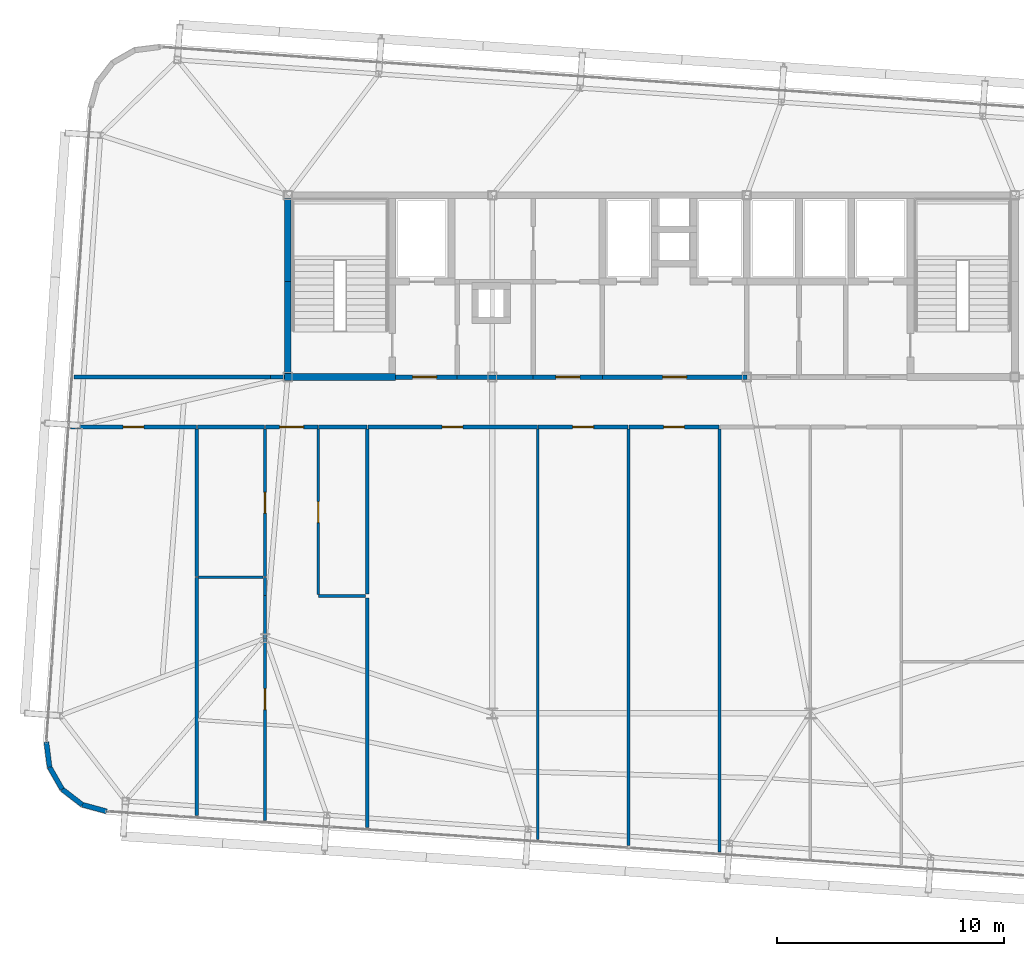
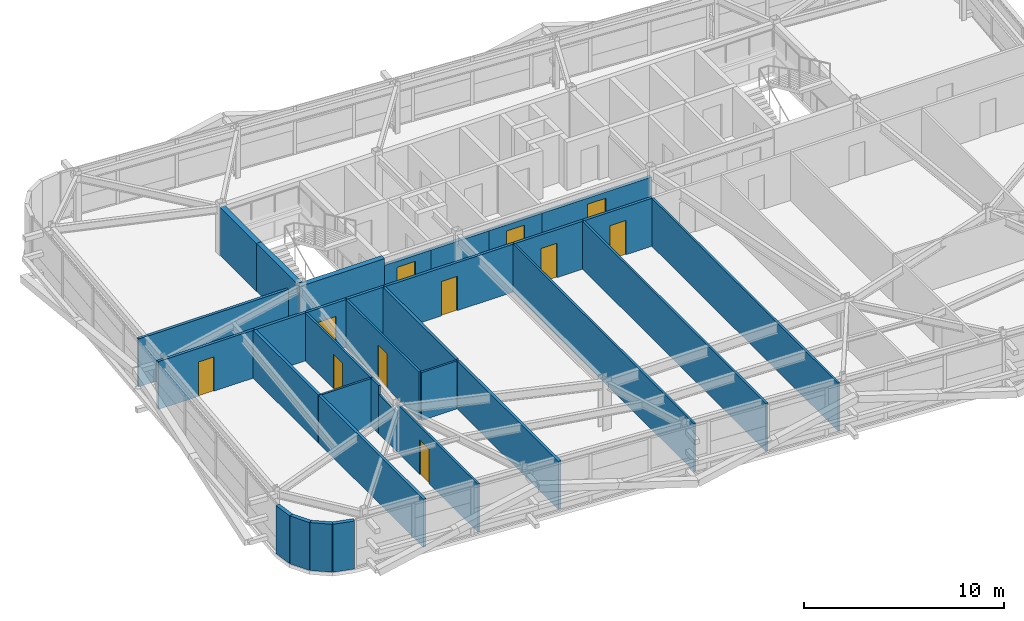
# One storey, part 41 of 47: 34 walls, 11 doors, 11 openings.
"""IFC4 building model written with IfcOpenShell, lengths in metres."""

from ifc_helpers import new_model, si_unit, direction, frame, frame_2d, origin, place, context, subcontext, project, spatial, rectangle, extrude, source, transform, mapped, material, layer, layer_set, type_object, element, fill, save


model = new_model("IFC4")

# Units and contexts
model_context = context("Model", 3, precision=1e-05, world=origin(), true_north=direction((0.0, 1.0)))
body_context = subcontext(model_context, "Body", "Model", "MODEL_VIEW")
ifc_project = project(units=[si_unit("LENGTHUNIT", "METRE"), si_unit("AREAUNIT", "SQUARE_METRE"), si_unit("VOLUMEUNIT", "CUBIC_METRE"), si_unit("PLANEANGLEUNIT", "RADIAN"), si_unit("MASSUNIT", "GRAM", prefix="KILO")], contexts=[model_context])

# Site, building, storey
site_placement = place(None, origin())
site = spatial("IfcSite", under=ifc_project, at=site_placement, CompositionType="ELEMENT")
building_placement = place(site_placement, origin())
building = spatial("IfcBuilding", under=site, at=building_placement, Name="Taldren Reach Tower", CompositionType="ELEMENT")
storey_placement = place(building_placement, frame((0.0, 0.0, 139.300048828125)))
storey = spatial("IfcBuildingStorey", under=building, at=storey_placement, Name="L42", CompositionType="ELEMENT", Elevation=139.300048828125)

# Walls
ifc_material_1 = material(Name="Pale Champagne Anodised Aluminium Cladding", Category="aluminium")
ifc_layer_1 = layer(ifc_material_1, 0.04, Name="Pale Champagne Anodised Aluminium Cladding", Category="aluminium")
ifc_material_2 = material(Name="Mineral Wool Acoustic Insulation", Category="insulation")
ifc_layer_2 = layer(ifc_material_2, 0.06, Name="Mineral Wool Acoustic Insulation", Category="insulation")
ifc_material_3 = material(Name="Steel Gr 350 (C350L0)", Category="steel")
ifc_layer_3 = layer(ifc_material_3, 0.12, Name="Steel Gr 350 (C350L0)", Category="steel")
ifc_layer_set_1 = layer_set([ifc_layer_1, ifc_layer_2, ifc_layer_3], Name="Pale Champagne Aluminium Cladding and Steel Gr 350 Stud Framing")
wall_type_1 = type_object("IfcWallType", Name="EW-CRN-220", PredefinedType="SOLIDWALL", material=ifc_layer_set_1)
shared_shape_1 = source(origin(), body_context, "Body", "SweptSolid", [
    extrude(rectangle(XDim=1.115966796875, YDim=0.219970703125, at=frame_2d((0.55810546875, 0.0))), origin(), (0.0, 0.0, 1.0), 2.929931640625),
])
for number, where, z_axis, x_axis, name in (
    (1, (8.37646484375, 7.93798828125, 0.0), (0.0, 0.0, 1.0), (0.126242535829, -0.991999406324, 0.0), "Rounded-corner pale-metal facade wall L42-SW1"),
    (2, (8.517333984375, 6.8310546875, 0.0), (0.0, 0.0, 1.0), (0.496138938357, -0.868243142124, 0.0), "Rounded-corner pale-metal facade wall L42-SW2"),
    (3, (9.071044921875, 5.862060546875, 0.0), (0.0, 0.0, 1.0), (0.790716874741, -0.612182018684, 0.0), "Rounded-corner pale-metal facade wall L42-SW3"),
    (4, (9.953369140625, 5.178955078125, 0.0), (0.0, 0.0, 1.0), (0.964804199372, -0.262969307856, 0.0), "Rounded-corner pale-metal facade wall L42-SW4"),
):
    element("IfcWall", number, at=place(storey_placement, frame(where, z_axis=z_axis, x_axis=x_axis)), inside=storey, type_object=wall_type_1, Name=name, PredefinedType="SOLIDWALL", context=body_context, shape_type="MappedRepresentation", body=[
        mapped(shared_shape_1, transform((0.0, 0.0, 0.0), scale=1.0)),
    ])

# Wall, opening, door
ifc_material_4 = material(Name="Fire-Rated Acoustic Plasterboard Stud Wall", Category="gypsum")
ifc_layer_4 = layer(ifc_material_4, 0.159912109375)
ifc_layer_set_2 = layer_set([ifc_layer_4], Name="Fire-Rated Acoustic Plasterboard Stud Wall")
wall_type_2 = type_object("IfcWallType", Name="IW-FIRE-160", PredefinedType="PARTITIONING", material=ifc_layer_set_2)
shared_shape_2 = source(origin(), body_context, "Body", "SweptSolid", [
    extrude(rectangle(XDim=3.95947265625, YDim=0.159912109375, at=frame_2d((1.979736328125, 0.0))), origin(), (0.0, 0.0, 1.0), 2.929931640625),
])
wall_1_placement = place(storey_placement, frame((33.979736328125, 21.800048828125, 0.0), z_axis=(0.0, 0.0, 1.0), x_axis=(-1.0, 0.0, 0.0)))
wall_1 = element("IfcWall", 5, at=wall_1_placement, inside=storey, type_object=wall_type_2, Name="Interior Partition Wall W-INT-L42-051", PredefinedType="PARTITIONING", context=body_context, shape_type="MappedRepresentation", body=[
    mapped(shared_shape_2, transform((0.0, 0.0, 0.0), scale=1.0)),
])
shared_shape_3 = source(origin(), body_context, "Body", "SweptSolid", [
    extrude(rectangle(XDim=0.919921875, YDim=2.10009765625, at=frame_2d((0.4599609375, 1.050048828125))), frame((0.0, 0.08984375, 0.0), z_axis=(0.0, -1.0, 0.0), x_axis=(1.0, 0.0, 0.0)), (0.0, 0.0, 1.0), 0.179931640625),
])
opening_1_placement = place(wall_1_placement, frame((1.519775390625, 0.0, 0.0)))
opening_1 = element("IfcOpeningElement", 6, at=opening_1_placement, cuts=wall_1, Name="Opening DI-092", PredefinedType="OPENING", context=body_context, shape_type="MappedRepresentation", body=[
    mapped(shared_shape_3, transform((0.0, 0.0, 0.0), scale=1.0)),
])
ifc_material_5 = material(Name="Solid-Core Timber Suite Door", Category="wood")
door_type_1 = type_object("IfcDoorType", Name="ID-INT-092", OperationType="NOTDEFINED", PredefinedType="DOOR", material=ifc_material_5)
shared_shape_4 = source(origin(), body_context, "Body", "SweptSolid", [
    extrude(rectangle(XDim=0.919921875, YDim=2.10009765625, at=frame_2d((0.4599609375, 1.050048828125))), frame((0.0, 0.02490234375, 0.0), z_axis=(0.0, -1.0, 0.0), x_axis=(1.0, 0.0, 0.0)), (0.0, 0.0, 1.0), 0.050048828125),
])
door_1_placement = place(opening_1_placement, origin())
door_1 = element("IfcDoor", 7, at=door_1_placement, inside=storey, type_object=door_type_1, Name="Interior Door DR-L42-014", OperationType="SINGLE_SWING_LEFT", OverallHeight=2.10009765625, OverallWidth=0.919921875, PredefinedType="DOOR", context=body_context, shape_type="MappedRepresentation", body=[
    mapped(shared_shape_4, transform((0.0, 0.0, 0.0), scale=1.0)),
])
fill(opening_1, door_1)

wall_2_placement = place(storey_placement, frame((37.979736328125, 21.800048828125, 0.0), z_axis=(0.0, 0.0, 1.0), x_axis=(-1.0, 0.0, 0.0)))
wall_2 = element("IfcWall", 8, at=wall_2_placement, inside=storey, type_object=wall_type_2, Name="Interior Partition Wall W-INT-L42-052", PredefinedType="PARTITIONING", context=body_context, shape_type="MappedRepresentation", body=[
    mapped(shared_shape_2, transform((0.0, 0.0, 0.0), scale=1.0)),
])
opening_2_placement = place(wall_2_placement, frame((1.519775390625, 0.0, 0.0)))
opening_2 = element("IfcOpeningElement", 9, at=opening_2_placement, cuts=wall_2, Name="Opening DI-092", PredefinedType="OPENING", context=body_context, shape_type="MappedRepresentation", body=[
    mapped(shared_shape_3, transform((0.0, 0.0, 0.0), scale=1.0)),
])
door_2_placement = place(opening_2_placement, origin())
door_2 = element("IfcDoor", 10, at=door_2_placement, inside=storey, type_object=door_type_1, Name="Interior Door DR-L42-015", OperationType="SINGLE_SWING_RIGHT", OverallHeight=2.10009765625, OverallWidth=0.919921875, PredefinedType="DOOR", context=body_context, shape_type="MappedRepresentation", body=[
    mapped(shared_shape_4, transform((0.0, 0.0, 0.0), scale=1.0)),
])
fill(opening_2, door_2)

# Walls
ifc_material_6 = material(Name="Concrete S65 (65 MPa)", Category="concrete")
ifc_layer_5 = layer(ifc_material_6, 0.300048828125)
ifc_layer_set_3 = layer_set([ifc_layer_5], Name="Concrete S65 (65 MPa)")
wall_type_3 = type_object("IfcWallType", Name="IW-CORE-300", PredefinedType="SHEAR", material=ifc_layer_set_3)
shared_shape_5 = source(origin(), body_context, "Body", "SweptSolid", [
    extrude(rectangle(XDim=4.050048828125, YDim=0.300048828125, at=frame_2d((2.02490234375, 0.0))), origin(), (0.0, 0.0, 1.0), 2.929931640625),
])
wall_3_placement = place(storey_placement, frame((19.0, 24.14990234375, 0.0), z_axis=(0.0, 0.0, 1.0), x_axis=(0.0, 1.0, 0.0)))
element("IfcWall", 11, at=wall_3_placement, inside=storey, type_object=wall_type_3, Name="Rear Core Shear Wall W-CORE-L42-WEST1", PredefinedType="SHEAR", context=body_context, shape_type="MappedRepresentation", body=[
    mapped(shared_shape_5, transform((0.0, 0.0, 0.0), scale=1.0)),
])
shared_shape_6 = source(origin(), body_context, "Body", "SweptSolid", [
    extrude(rectangle(XDim=3.650146484375, YDim=0.300048828125, at=frame_2d((1.8251953125, 0.0))), origin(), (0.0, 0.0, 1.0), 2.929931640625),
])
wall_4_placement = place(storey_placement, frame((19.0, 28.199951171875, 0.0), z_axis=(0.0, 0.0, 1.0), x_axis=(0.0, 1.0, 0.0)))
element("IfcWall", 12, at=wall_4_placement, inside=storey, type_object=wall_type_3, Name="Rear Core Shear Wall W-CORE-L42-WEST2", PredefinedType="SHEAR", context=body_context, shape_type="MappedRepresentation", body=[
    mapped(shared_shape_6, transform((0.0, 0.0, 0.0), scale=1.0)),
])
shared_shape_7 = source(origin(), body_context, "Body", "SweptSolid", [
    extrude(rectangle(XDim=4.89990234375, YDim=0.300048828125, at=frame_2d((2.449951171875, 0.0))), origin(), (0.0, 0.0, 1.0), 2.929931640625),
])
wall_5_placement = place(storey_placement, frame((18.85009765625, 24.0, 0.0), z_axis=(0.0, 0.0, 1.0), x_axis=(1.0, 0.0, 0.0)))
element("IfcWall", 13, at=wall_5_placement, inside=storey, type_object=wall_type_3, Name="Rear Core Shear Wall W-INT-L42-003", PredefinedType="SHEAR", context=body_context, shape_type="MappedRepresentation", body=[
    mapped(shared_shape_7, transform((0.0, 0.0, 0.0), scale=1.0)),
])

# Wall, opening, door
ifc_material_7 = material(Name="Concrete S50 (50 MPa)", Category="concrete")
ifc_layer_6 = layer(ifc_material_7, 0.199951171875)
ifc_layer_set_4 = layer_set([ifc_layer_6], Name="Concrete S50 (50 MPa)")
wall_type_4 = type_object("IfcWallType", Name="IW-CORE-200", PredefinedType="SOLIDWALL", material=ifc_layer_set_4)
shared_shape_8 = source(origin(), body_context, "Body", "SweptSolid", [
    extrude(rectangle(XDim=2.699951171875, YDim=0.199951171875, at=frame_2d((1.35009765625, 0.0))), origin(), (0.0, 0.0, 1.0), 2.469970703125),
])
wall_6_placement = place(storey_placement, frame((23.75, 24.0, 0.0), z_axis=(0.0, 0.0, 1.0), x_axis=(1.0, 0.0, 0.0)))
wall_6 = element("IfcWall", 14, at=wall_6_placement, inside=storey, type_object=wall_type_4, Name="Rear Core Shear Wall W-INT-L42-007", PredefinedType="SOLIDWALL", context=body_context, shape_type="MappedRepresentation", body=[
    mapped(shared_shape_8, transform((0.0, 0.0, 0.0), scale=1.0)),
])
shared_shape_9 = source(origin(), body_context, "Body", "SweptSolid", [
    extrude(rectangle(XDim=1.050048828125, YDim=2.10009765625, at=frame_2d((0.52490234375, 1.050048828125))), frame((0.0, 0.10986328125, 0.0), z_axis=(0.0, -1.0, 0.0), x_axis=(1.0, 0.0, 0.0)), (0.0, 0.0, 1.0), 0.219970703125),
])
opening_3_placement = place(wall_6_placement, frame((0.75, 0.0, 0.0)))
opening_3 = element("IfcOpeningElement", 15, at=opening_3_placement, cuts=wall_6, Name="Opening DF-105", PredefinedType="OPENING", context=body_context, shape_type="MappedRepresentation", body=[
    mapped(shared_shape_9, transform((0.0, 0.0, 0.0), scale=1.0)),
])
ifc_material_8 = material(Name="Fire-Rated Care and Stair Exit Door")
door_type_2 = type_object("IfcDoorType", Name="ID-FIRE-105", OperationType="NOTDEFINED", PredefinedType="DOOR", material=ifc_material_8)
shared_shape_10 = source(origin(), body_context, "Body", "SweptSolid", [
    extrude(rectangle(XDim=1.050048828125, YDim=2.10009765625, at=frame_2d((0.52490234375, 1.050048828125))), frame((0.0, 0.02490234375, 0.0), z_axis=(0.0, -1.0, 0.0), x_axis=(1.0, 0.0, 0.0)), (0.0, 0.0, 1.0), 0.050048828125),
])
door_3_placement = place(opening_3_placement, origin())
door_3 = element("IfcDoor", 16, at=door_3_placement, inside=storey, type_object=door_type_2, Name="Interior Door DR-L42-002", OperationType="SINGLE_SWING_LEFT", OverallHeight=2.10009765625, OverallWidth=1.050048828125, PredefinedType="DOOR", context=body_context, shape_type="MappedRepresentation", body=[
    mapped(shared_shape_10, transform((0.0, 0.0, 0.0), scale=1.0)),
])
fill(opening_3, door_3)

shared_shape_11 = source(origin(), body_context, "Body", "SweptSolid", [
    extrude(rectangle(XDim=6.349853515625, YDim=0.199951171875, at=frame_2d((3.1748046875, 0.0))), origin(), (0.0, 0.0, 1.0), 2.469970703125),
])
wall_7_placement = place(storey_placement, frame((39.199951171875, 24.0, 0.0), z_axis=(0.0, 0.0, 1.0), x_axis=(-1.0, 0.0, 0.0)))
wall_7 = element("IfcWall", 17, at=wall_7_placement, inside=storey, type_object=wall_type_4, Name="Rear Core Shear Wall W-INT-L42-033", PredefinedType="SOLIDWALL", context=body_context, shape_type="MappedRepresentation", body=[
    mapped(shared_shape_11, transform((0.0, 0.0, 0.0), scale=1.0)),
])
opening_4_placement = place(wall_7_placement, frame((2.64990234375, 0.0, 0.0)))
opening_4 = element("IfcOpeningElement", 18, at=opening_4_placement, cuts=wall_7, Name="Opening DF-105", PredefinedType="OPENING", context=body_context, shape_type="MappedRepresentation", body=[
    mapped(shared_shape_9, transform((0.0, 0.0, 0.0), scale=1.0)),
])
door_4_placement = place(opening_4_placement, frame((1.050048828125, 0.0, 0.0), z_axis=(0.0, 0.0, 1.0), x_axis=(-1.0, 0.0, 0.0)))
door_4 = element("IfcDoor", 19, at=door_4_placement, inside=storey, type_object=door_type_2, Name="Interior Door DR-L42-005", OperationType="SINGLE_SWING_LEFT", OverallHeight=2.10009765625, OverallWidth=1.050048828125, PredefinedType="DOOR", context=body_context, shape_type="MappedRepresentation", body=[
    mapped(shared_shape_10, transform((0.0, 0.0, 0.0), scale=1.0)),
])
fill(opening_4, door_4)

# Wall
shared_shape_12 = source(origin(), body_context, "Body", "SweptSolid", [
    extrude(rectangle(XDim=3.35009765625, YDim=0.199951171875, at=frame_2d((1.675048828125, 0.0))), origin(), (0.0, 0.0, 1.0), 2.469970703125),
])
wall_8_placement = place(storey_placement, frame((29.800048828125, 24.0, 0.0), z_axis=(0.0, 0.0, 1.0), x_axis=(-1.0, 0.0, 0.0)))
element("IfcWall", 20, at=wall_8_placement, inside=storey, type_object=wall_type_4, Name="Rear Core Shear Wall W-INT-L42-039", PredefinedType="SOLIDWALL", context=body_context, shape_type="MappedRepresentation", body=[
    mapped(shared_shape_12, transform((0.0, 0.0, 0.0), scale=1.0)),
])

# Wall, opening, door
shared_shape_13 = source(origin(), body_context, "Body", "SweptSolid", [
    extrude(rectangle(XDim=3.050048828125, YDim=0.199951171875, at=frame_2d((1.52490234375, 0.0))), origin(), (0.0, 0.0, 1.0), 2.469970703125),
])
wall_9_placement = place(storey_placement, frame((32.85009765625, 24.0, 0.0), z_axis=(0.0, 0.0, 1.0), x_axis=(-1.0, 0.0, 0.0)))
wall_9 = element("IfcWall", 21, at=wall_9_placement, inside=storey, type_object=wall_type_4, Name="Rear Core Shear Wall W-INT-L42-041", PredefinedType="SOLIDWALL", context=body_context, shape_type="MappedRepresentation", body=[
    mapped(shared_shape_13, transform((0.0, 0.0, 0.0), scale=1.0)),
])
opening_5_placement = place(wall_9_placement, frame((1.0, 0.0, 0.0)))
opening_5 = element("IfcOpeningElement", 22, at=opening_5_placement, cuts=wall_9, Name="Opening DF-105", PredefinedType="OPENING", context=body_context, shape_type="MappedRepresentation", body=[
    mapped(shared_shape_9, transform((0.0, 0.0, 0.0), scale=1.0)),
])
door_5_placement = place(opening_5_placement, frame((1.050048828125, 0.0, 0.0), z_axis=(0.0, 0.0, 1.0), x_axis=(-1.0, 0.0, 0.0)))
door_5 = element("IfcDoor", 23, at=door_5_placement, inside=storey, type_object=door_type_2, Name="Interior Door DR-L42-007", OperationType="SINGLE_SWING_LEFT", OverallHeight=2.10009765625, OverallWidth=1.050048828125, PredefinedType="DOOR", context=body_context, shape_type="MappedRepresentation", body=[
    mapped(shared_shape_10, transform((0.0, 0.0, 0.0), scale=1.0)),
])
fill(opening_5, door_5)

# Walls
shared_shape_14 = source(origin(), body_context, "Body", "SweptSolid", [
    extrude(rectangle(XDim=8.65234375, YDim=0.159912109375, at=frame_2d((4.326171875, 0.0))), origin(), (0.0, 0.0, 1.0), 2.929931640625),
])
wall_10_placement = place(storey_placement, frame((9.584228515625, 24.0, 0.0), z_axis=(0.0, 0.0, 1.0), x_axis=(1.0, 0.0, 0.0)))
element("IfcWall", 24, at=wall_10_placement, inside=storey, type_object=wall_type_2, Name="Interior Partition Wall W-INT-L42-058", PredefinedType="PARTITIONING", context=body_context, shape_type="MappedRepresentation", body=[
    mapped(shared_shape_14, transform((0.0, 0.0, 0.0), scale=1.0)),
])
shared_shape_15 = source(origin(), body_context, "Body", "SweptSolid", [
    extrude(rectangle(XDim=0.613525390625, YDim=0.159912109375, at=frame_2d((0.306640625, 0.0))), origin(), (0.0, 0.0, 1.0), 2.469970703125),
])
wall_11_placement = place(storey_placement, frame((18.236572265625, 24.0, 0.0), z_axis=(0.0, 0.0, 1.0), x_axis=(1.0, 0.0, 0.0)))
element("IfcWall", 25, at=wall_11_placement, inside=storey, type_object=wall_type_2, Name="Interior Partition Wall W-INT-L42-058 part 2", PredefinedType="PARTITIONING", context=body_context, shape_type="MappedRepresentation", body=[
    mapped(shared_shape_15, transform((0.0, 0.0, 0.0), scale=1.0)),
])
ifc_material_9 = material(Name="Insulated Residential Stud Partition", Category="gypsum")
ifc_layer_7 = layer(ifc_material_9, 0.1201171875)
ifc_layer_set_5 = layer_set([ifc_layer_7], Name="Insulated Residential Stud Partition")
wall_type_5 = type_object("IfcWallType", Name="IW-PART-120", PredefinedType="PARTITIONING", material=ifc_layer_set_5)
shared_shape_16 = source(origin(), body_context, "Body", "SweptSolid", [
    extrude(rectangle(XDim=1.9013671875, YDim=0.1201171875, at=frame_2d((0.95068359375, 0.0))), origin(), (0.0, 0.0, 1.0), 2.39697265625),
])
wall_12_placement = place(storey_placement, frame((18.0, 12.494873046875, 0.0), z_axis=(0.0, 0.0, 1.0), x_axis=(0.0, 1.0, 0.0)))
element("IfcWall", 26, at=wall_12_placement, inside=storey, type_object=wall_type_5, Name="Interior Partition Wall W-INT-L42-063 part 2", PredefinedType="PARTITIONING", context=body_context, shape_type="MappedRepresentation", body=[
    mapped(shared_shape_16, transform((0.0, 0.0, 0.0), scale=1.0)),
])

# Wall, opening, door
shared_shape_17 = source(origin(), body_context, "Body", "SweptSolid", [
    extrude(rectangle(XDim=7.45947265625, YDim=0.159912109375, at=frame_2d((3.729736328125, 0.0))), origin(), (0.0, 0.0, 1.0), 2.929931640625),
])
wall_13_placement = place(storey_placement, frame((29.979736328125, 21.800048828125, 0.0), z_axis=(0.0, 0.0, 1.0), x_axis=(-1.0, 0.0, 0.0)))
wall_13 = element("IfcWall", 27, at=wall_13_placement, inside=storey, type_object=wall_type_2, Name="Interior Partition Wall W-INT-L42-050", PredefinedType="PARTITIONING", context=body_context, shape_type="MappedRepresentation", body=[
    mapped(shared_shape_17, transform((0.0, 0.0, 0.0), scale=1.0)),
])
opening_6_placement = place(wall_13_placement, frame((3.269775390625, 0.0, 0.0)))
opening_6 = element("IfcOpeningElement", 28, at=opening_6_placement, cuts=wall_13, Name="Opening DI-092", PredefinedType="OPENING", context=body_context, shape_type="MappedRepresentation", body=[
    mapped(shared_shape_3, transform((0.0, 0.0, 0.0), scale=1.0)),
])
door_6_placement = place(opening_6_placement, origin())
door_6 = element("IfcDoor", 29, at=door_6_placement, inside=storey, type_object=door_type_1, Name="Interior Door DR-L42-013", OperationType="SINGLE_SWING_RIGHT", OverallHeight=2.10009765625, OverallWidth=0.919921875, PredefinedType="DOOR", context=body_context, shape_type="MappedRepresentation", body=[
    mapped(shared_shape_4, transform((0.0, 0.0, 0.0), scale=1.0)),
])
fill(opening_6, door_6)

shared_shape_18 = source(origin(), body_context, "Body", "SweptSolid", [
    extrude(rectangle(XDim=5.538330078125, YDim=0.159912109375, at=frame_2d((2.76904296875, 0.0))), origin(), (0.0, 0.0, 1.0), 2.929931640625),
])
wall_14_placement = place(storey_placement, frame((14.979736328125, 21.800048828125, 0.0), z_axis=(0.0, 0.0, 1.0), x_axis=(-1.0, 0.0, 0.0)))
wall_14 = element("IfcWall", 30, at=wall_14_placement, inside=storey, type_object=wall_type_2, Name="Interior Partition Wall W-INT-L42-046", PredefinedType="PARTITIONING", context=body_context, shape_type="MappedRepresentation", body=[
    mapped(shared_shape_18, transform((0.0, 0.0, 0.0), scale=1.0)),
])
opening_7_placement = place(wall_14_placement, frame((2.30908203125, 0.0, 0.0)))
opening_7 = element("IfcOpeningElement", 31, at=opening_7_placement, cuts=wall_14, Name="Opening DI-092", PredefinedType="OPENING", context=body_context, shape_type="MappedRepresentation", body=[
    mapped(shared_shape_3, transform((0.0, 0.0, 0.0), scale=1.0)),
])
door_7_placement = place(opening_7_placement, origin())
door_7 = element("IfcDoor", 32, at=door_7_placement, inside=storey, type_object=door_type_1, Name="Interior Door DR-L42-011", OperationType="SINGLE_SWING_RIGHT", OverallHeight=2.10009765625, OverallWidth=0.919921875, PredefinedType="DOOR", context=body_context, shape_type="MappedRepresentation", body=[
    mapped(shared_shape_4, transform((0.0, 0.0, 0.0), scale=1.0)),
])
fill(opening_7, door_7)

shared_shape_19 = source(origin(), body_context, "Body", "SweptSolid", [
    extrude(rectangle(XDim=2.299560546875, YDim=0.159912109375, at=frame_2d((1.14990234375, 0.0))), origin(), (0.0, 0.0, 1.0), 2.929931640625),
])
wall_15_placement = place(storey_placement, frame((20.31982421875, 21.800048828125, 0.0), z_axis=(0.0, 0.0, 1.0), x_axis=(-1.0, 0.0, 0.0)))
wall_15 = element("IfcWall", 33, at=wall_15_placement, inside=storey, type_object=wall_type_2, Name="Interior Partition Wall W-INT-L42-047", PredefinedType="PARTITIONING", context=body_context, shape_type="MappedRepresentation", body=[
    mapped(shared_shape_19, transform((0.0, 0.0, 0.0), scale=1.0)),
])
shared_shape_20 = source(origin(), body_context, "Body", "SweptSolid", [
    extrude(rectangle(XDim=1.050048828125, YDim=2.10009765625, at=frame_2d((0.52490234375, 1.050048828125))), frame((0.0, 0.08984375, 0.0), z_axis=(0.0, -1.0, 0.0), x_axis=(1.0, 0.0, 0.0)), (0.0, 0.0, 1.0), 0.179931640625),
])
opening_8_placement = place(wall_15_placement, frame((0.624755859375, 0.0, 0.0)))
opening_8 = element("IfcOpeningElement", 34, at=opening_8_placement, cuts=wall_15, Name="Opening DF-105", PredefinedType="OPENING", context=body_context, shape_type="MappedRepresentation", body=[
    mapped(shared_shape_20, transform((0.0, 0.0, 0.0), scale=1.0)),
])
door_8_placement = place(opening_8_placement, origin())
door_8 = element("IfcDoor", 35, at=door_8_placement, inside=storey, type_object=door_type_2, Name="Interior Door DR-L42-012", OperationType="SINGLE_SWING_LEFT", OverallHeight=2.10009765625, OverallWidth=1.050048828125, PredefinedType="DOOR", context=body_context, shape_type="MappedRepresentation", body=[
    mapped(shared_shape_10, transform((0.0, 0.0, 0.0), scale=1.0)),
])
fill(opening_8, door_8)

# Walls
shared_shape_21 = source(origin(), body_context, "Body", "SweptSolid", [
    extrude(rectangle(XDim=2.11962890625, YDim=0.159912109375, at=frame_2d((1.059814453125, 0.0))), origin(), (0.0, 0.0, 1.0), 2.929931640625),
])
wall_16_placement = place(storey_placement, frame((22.479736328125, 21.800048828125, 0.0), z_axis=(0.0, 0.0, 1.0), x_axis=(-1.0, 0.0, 0.0)))
element("IfcWall", 36, at=wall_16_placement, inside=storey, type_object=wall_type_2, Name="Interior Partition Wall W-INT-L42-048", PredefinedType="PARTITIONING", context=body_context, shape_type="MappedRepresentation", body=[
    mapped(shared_shape_21, transform((0.0, 0.0, 0.0), scale=1.0)),
])
shared_shape_22 = source(origin(), body_context, "Body", "SweptSolid", [
    extrude(rectangle(XDim=2.95947265625, YDim=0.159912109375, at=frame_2d((1.479736328125, 0.0))), origin(), (0.0, 0.0, 1.0), 2.929931640625),
])
wall_17_placement = place(storey_placement, frame((17.979736328125, 21.800048828125, 0.0), z_axis=(0.0, 0.0, 1.0), x_axis=(-1.0, 0.0, 0.0)))
element("IfcWall", 37, at=wall_17_placement, inside=storey, type_object=wall_type_2, Name="Interior Partition Wall W-INT-L42-049", PredefinedType="PARTITIONING", context=body_context, shape_type="MappedRepresentation", body=[
    mapped(shared_shape_22, transform((0.0, 0.0, 0.0), scale=1.0)),
])
shared_shape_23 = source(origin(), body_context, "Body", "SweptSolid", [
    extrude(rectangle(XDim=10.46728515625, YDim=0.159912109375, at=frame_2d((5.233642578125, 0.0))), origin(), (0.0, 0.0, 1.0), 2.929931640625),
])
wall_18_placement = place(storey_placement, frame((15.0, 15.1708984375, 0.0), z_axis=(0.0, 0.0, 1.0), x_axis=(0.0, -1.0, 0.0)))
element("IfcWall", 38, at=wall_18_placement, inside=storey, type_object=wall_type_2, Name="Interior Partition Wall W-INT-L42-059", PredefinedType="PARTITIONING", context=body_context, shape_type="MappedRepresentation", body=[
    mapped(shared_shape_23, transform((0.0, 0.0, 0.0), scale=1.0)),
])
shared_shape_24 = source(origin(), body_context, "Body", "SweptSolid", [
    extrude(rectangle(XDim=6.5087890625, YDim=0.159912109375, at=frame_2d((3.25439453125, 0.0))), origin(), (0.0, 0.0, 1.0), 2.929931640625),
])
wall_19_placement = place(storey_placement, frame((15.0, 21.719970703125, 0.0), z_axis=(0.0, 0.0, 1.0), x_axis=(0.0, -1.0, 0.0)))
element("IfcWall", 39, at=wall_19_placement, inside=storey, type_object=wall_type_2, Name="Interior Partition Wall W-INT-L42-060", PredefinedType="PARTITIONING", context=body_context, shape_type="MappedRepresentation", body=[
    mapped(shared_shape_24, transform((0.0, 0.0, 0.0), scale=1.0)),
])

# Wall, opening, door
shared_shape_25 = source(origin(), body_context, "Body", "SweptSolid", [
    extrude(rectangle(XDim=7.294189453125, YDim=0.1201171875, at=frame_2d((3.64697265625, 0.0))), origin(), (0.0, 0.0, 1.0), 2.929931640625),
])
wall_20_placement = place(storey_placement, frame((20.340087890625, 21.719970703125, 0.0), z_axis=(0.0, 0.0, 1.0), x_axis=(0.0, -1.0, 0.0)))
wall_20 = element("IfcWall", 40, at=wall_20_placement, inside=storey, type_object=wall_type_5, Name="Interior Partition Wall W-INT-L42-061", PredefinedType="PARTITIONING", context=body_context, shape_type="MappedRepresentation", body=[
    mapped(shared_shape_25, transform((0.0, 0.0, 0.0), scale=1.0)),
])
shared_shape_26 = source(origin(), body_context, "Body", "SweptSolid", [
    extrude(rectangle(XDim=0.919921875, YDim=2.10009765625, at=frame_2d((0.4599609375, 1.050048828125))), frame((0.0, 0.070068359375, 0.0), z_axis=(0.0, -1.0, 0.0), x_axis=(1.0, 0.0, 0.0)), (0.0, 0.0, 1.0), 0.14013671875),
])
opening_9_placement = place(wall_20_placement, frame((3.20703125, 0.0, 0.0)))
opening_9 = element("IfcOpeningElement", 41, at=opening_9_placement, cuts=wall_20, Name="Opening DI-092", PredefinedType="OPENING", context=body_context, shape_type="MappedRepresentation", body=[
    mapped(shared_shape_26, transform((0.0, 0.0, 0.0), scale=1.0)),
])
door_9_placement = place(opening_9_placement, origin())
door_9 = element("IfcDoor", 42, at=door_9_placement, inside=storey, type_object=door_type_1, Name="Interior Door DR-L42-021", OperationType="SINGLE_SWING_RIGHT", OverallHeight=2.10009765625, OverallWidth=0.919921875, PredefinedType="DOOR", context=body_context, shape_type="MappedRepresentation", body=[
    mapped(shared_shape_4, transform((0.0, 0.0, 0.0), scale=1.0)),
])
fill(opening_9, door_9)

# Wall
shared_shape_27 = source(origin(), body_context, "Body", "SweptSolid", [
    extrude(rectangle(XDim=2.059814453125, YDim=0.1201171875, at=frame_2d((1.02978515625, 0.0))), origin(), (0.0, 0.0, 1.0), 2.929931640625),
])
wall_21_placement = place(storey_placement, frame((20.360107421875, 14.36572265625, 0.0), z_axis=(0.0, 0.0, 1.0), x_axis=(1.0, 0.0, 0.0)))
element("IfcWall", 43, at=wall_21_placement, inside=storey, type_object=wall_type_5, Name="Interior Partition Wall W-INT-L42-062", PredefinedType="PARTITIONING", context=body_context, shape_type="MappedRepresentation", body=[
    mapped(shared_shape_27, transform((0.0, 0.0, 0.0), scale=1.0)),
])

# Wall, opening, door
shared_shape_28 = source(origin(), body_context, "Body", "SweptSolid", [
    extrude(rectangle(XDim=8.01220703125, YDim=0.1201171875, at=frame_2d((4.006103515625, 0.0))), origin(), (0.0, 0.0, 1.0), 2.929931640625),
])
wall_22_placement = place(storey_placement, frame((18.0, 4.482666015625, 0.0), z_axis=(0.0, 0.0, 1.0), x_axis=(0.0, 1.0, 0.0)))
wall_22 = element("IfcWall", 44, at=wall_22_placement, inside=storey, type_object=wall_type_5, Name="Interior Partition Wall W-INT-L42-063", PredefinedType="PARTITIONING", context=body_context, shape_type="MappedRepresentation", body=[
    mapped(shared_shape_28, transform((0.0, 0.0, 0.0), scale=1.0)),
])
opening_10_placement = place(wall_22_placement, frame((4.884033203125, 0.0, 0.0)))
opening_10 = element("IfcOpeningElement", 45, at=opening_10_placement, cuts=wall_22, Name="Opening DI-092", PredefinedType="OPENING", context=body_context, shape_type="MappedRepresentation", body=[
    mapped(shared_shape_26, transform((0.0, 0.0, 0.0), scale=1.0)),
])
door_10_placement = place(opening_10_placement, origin())
door_10 = element("IfcDoor", 46, at=door_10_placement, inside=storey, type_object=door_type_1, Name="Interior Door DR-L42-022", OperationType="SINGLE_SWING_LEFT", OverallHeight=2.10009765625, OverallWidth=0.919921875, PredefinedType="DOOR", context=body_context, shape_type="MappedRepresentation", body=[
    mapped(shared_shape_4, transform((0.0, 0.0, 0.0), scale=1.0)),
])
fill(opening_10, door_10)

# Wall
shared_shape_29 = source(origin(), body_context, "Body", "SweptSolid", [
    extrude(rectangle(XDim=0.774658203125, YDim=0.1201171875, at=frame_2d((0.38720703125, 0.0))), origin(), (0.0, 0.0, 1.0), 2.929931640625),
])
wall_23_placement = place(storey_placement, frame((18.0, 14.396240234375, 0.0), z_axis=(0.0, 0.0, 1.0), x_axis=(0.0, 1.0, 0.0)))
element("IfcWall", 47, at=wall_23_placement, inside=storey, type_object=wall_type_5, Name="Interior Partition Wall W-INT-L42-063 part 3", PredefinedType="PARTITIONING", context=body_context, shape_type="MappedRepresentation", body=[
    mapped(shared_shape_29, transform((0.0, 0.0, 0.0), scale=1.0)),
])

# Wall, opening, door
shared_shape_30 = source(origin(), body_context, "Body", "SweptSolid", [
    extrude(rectangle(XDim=6.5087890625, YDim=0.1201171875, at=frame_2d((3.25439453125, 0.0))), origin(), (0.0, 0.0, 1.0), 2.929931640625),
])
wall_24_placement = place(storey_placement, frame((18.0, 15.211181640625, 0.0), z_axis=(0.0, 0.0, 1.0), x_axis=(0.0, 1.0, 0.0)))
wall_24 = element("IfcWall", 48, at=wall_24_placement, inside=storey, type_object=wall_type_5, Name="Interior Partition Wall W-INT-L42-064", PredefinedType="PARTITIONING", context=body_context, shape_type="MappedRepresentation", body=[
    mapped(shared_shape_30, transform((0.0, 0.0, 0.0), scale=1.0)),
])
opening_11_placement = place(wall_24_placement, frame((2.79443359375, 0.0, 0.0)))
opening_11 = element("IfcOpeningElement", 49, at=opening_11_placement, cuts=wall_24, Name="Opening DI-092", PredefinedType="OPENING", context=body_context, shape_type="MappedRepresentation", body=[
    mapped(shared_shape_26, transform((0.0, 0.0, 0.0), scale=1.0)),
])
door_11_placement = place(opening_11_placement, origin())
door_11 = element("IfcDoor", 50, at=door_11_placement, inside=storey, type_object=door_type_1, Name="Interior Door DR-L42-023", OperationType="SINGLE_SWING_RIGHT", OverallHeight=2.10009765625, OverallWidth=0.919921875, PredefinedType="DOOR", context=body_context, shape_type="MappedRepresentation", body=[
    mapped(shared_shape_4, transform((0.0, 0.0, 0.0), scale=1.0)),
])
fill(opening_11, door_11)

# Walls
shared_shape_31 = source(origin(), body_context, "Body", "SweptSolid", [
    extrude(rectangle(XDim=10.1044921875, YDim=0.159912109375, at=frame_2d((5.05224609375, 0.0))), origin(), (0.0, 0.0, 1.0), 2.929931640625),
])
wall_25_placement = place(storey_placement, frame((22.5, 14.28564453125, 0.0), z_axis=(0.0, 0.0, 1.0), x_axis=(0.0, -1.0, 0.0)))
element("IfcWall", 51, at=wall_25_placement, inside=storey, type_object=wall_type_2, Name="Interior Partition Wall W-INT-L42-065", PredefinedType="PARTITIONING", context=body_context, shape_type="MappedRepresentation", body=[
    mapped(shared_shape_31, transform((0.0, 0.0, 0.0), scale=1.0)),
])
shared_shape_32 = source(origin(), body_context, "Body", "SweptSolid", [
    extrude(rectangle(XDim=7.272216796875, YDim=0.159912109375, at=frame_2d((3.63623046875, 0.0))), origin(), (0.0, 0.0, 1.0), 2.929931640625),
])
wall_26_placement = place(storey_placement, frame((22.5, 21.718017578125, 0.0), z_axis=(0.0, 0.0, 1.0), x_axis=(0.0, -1.0, 0.0)))
element("IfcWall", 52, at=wall_26_placement, inside=storey, type_object=wall_type_2, Name="Interior Partition Wall W-INT-L42-066", PredefinedType="PARTITIONING", context=body_context, shape_type="MappedRepresentation", body=[
    mapped(shared_shape_32, transform((0.0, 0.0, 0.0), scale=1.0)),
])
shared_shape_33 = source(origin(), body_context, "Body", "SweptSolid", [
    extrude(rectangle(XDim=2.83984375, YDim=0.1201171875, at=frame_2d((1.419921875, 0.0))), origin(), (0.0, 0.0, 1.0), 2.929931640625),
])
wall_27_placement = place(storey_placement, frame((15.080078125, 15.191162109375, 0.0), z_axis=(0.0, 0.0, 1.0), x_axis=(1.0, 0.0, 0.0)))
element("IfcWall", 53, at=wall_27_placement, inside=storey, type_object=wall_type_5, Name="Interior Partition Wall W-INT-L42-067", PredefinedType="PARTITIONING", context=body_context, shape_type="MappedRepresentation", body=[
    mapped(shared_shape_33, transform((0.0, 0.0, 0.0), scale=1.0)),
])
shared_shape_34 = source(origin(), body_context, "Body", "SweptSolid", [
    extrude(rectangle(XDim=18.065185546875, YDim=0.1201171875, at=frame_2d((9.03271484375, 0.0))), origin(), (0.0, 0.0, 1.0), 2.929931640625),
])
wall_28_placement = place(storey_placement, frame((30.0, 21.719970703125, 0.0), z_axis=(0.0, 0.0, 1.0), x_axis=(0.0, -1.0, 0.0)))
element("IfcWall", 54, at=wall_28_placement, inside=storey, type_object=wall_type_5, Name="Interior Partition Wall W-INT-L42-068", PredefinedType="PARTITIONING", context=body_context, shape_type="MappedRepresentation", body=[
    mapped(shared_shape_34, transform((0.0, 0.0, 0.0), scale=1.0)),
])
shared_shape_35 = source(origin(), body_context, "Body", "SweptSolid", [
    extrude(rectangle(XDim=18.344970703125, YDim=0.1201171875, at=frame_2d((9.17236328125, 0.0))), origin(), (0.0, 0.0, 1.0), 2.929931640625),
])
wall_29_placement = place(storey_placement, frame((34.0, 21.719970703125, 0.0), z_axis=(0.0, 0.0, 1.0), x_axis=(0.0, -1.0, 0.0)))
element("IfcWall", 55, at=wall_29_placement, inside=storey, type_object=wall_type_5, Name="Interior Partition Wall W-INT-L42-069", PredefinedType="PARTITIONING", context=body_context, shape_type="MappedRepresentation", body=[
    mapped(shared_shape_35, transform((0.0, 0.0, 0.0), scale=1.0)),
])
shared_shape_36 = source(origin(), body_context, "Body", "SweptSolid", [
    extrude(rectangle(XDim=18.62060546875, YDim=0.1201171875, at=frame_2d((9.310302734375, 0.0))), origin(), (0.0, 0.0, 1.0), 2.929931640625),
])
wall_30_placement = place(storey_placement, frame((38.0, 21.718017578125, 0.0), z_axis=(0.0, 0.0, 1.0), x_axis=(0.0, -1.0, 0.0)))
element("IfcWall", 56, at=wall_30_placement, inside=storey, type_object=wall_type_5, Name="Interior Partition Wall W-INT-L42-070", PredefinedType="PARTITIONING", context=body_context, shape_type="MappedRepresentation", body=[
    mapped(shared_shape_36, transform((0.0, 0.0, 0.0), scale=1.0)),
])

save(model, "model.ifc")
